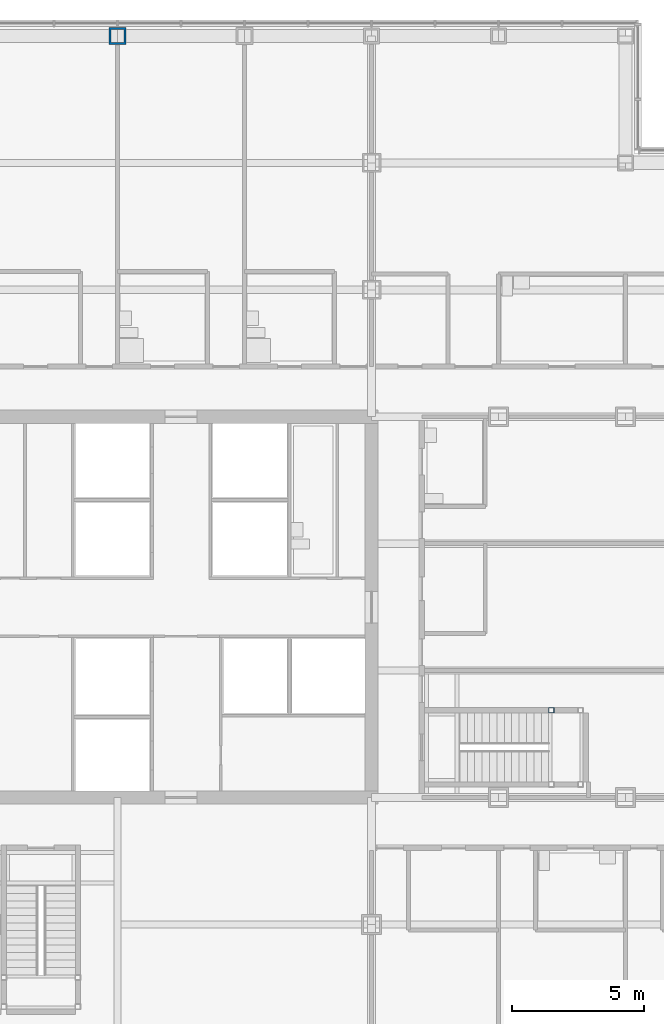
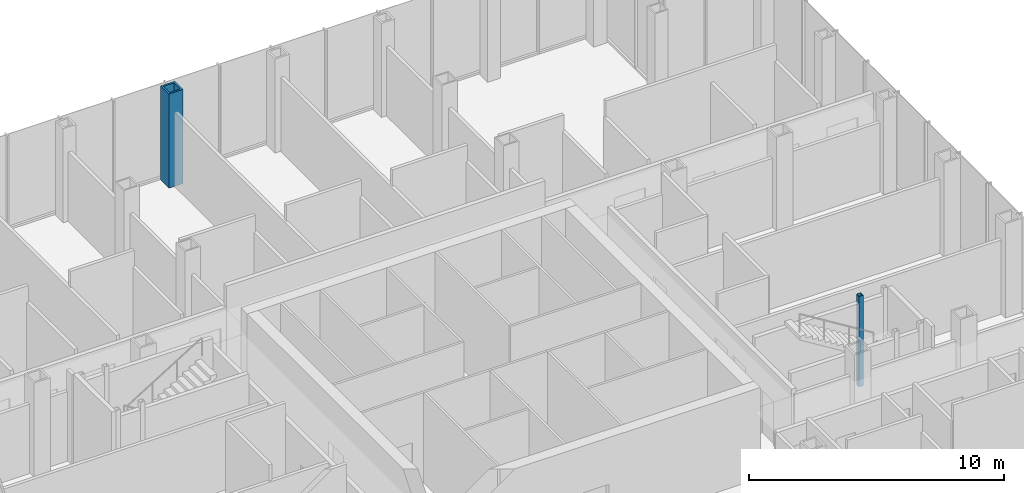
# One storey, part 8 of 25: 2 columns.
"""IFC4 building model written with IfcOpenShell, lengths in metres."""

from ifc_helpers import new_model, si_unit, direction, frame, origin, origin_2d, place, context, subcontext, project, spatial, hollow_rectangle, extrude, material, material_profile, profile_set, type_object, element, save


model = new_model("IFC4")

# Units and contexts
model_context = context("Model", 3, precision=1e-05, world=origin(), true_north=direction((0.0, 1.0)))
body_context = subcontext(model_context, "Body", "Model", "MODEL_VIEW")
ifc_project = project(units=[si_unit("LENGTHUNIT", "METRE"), si_unit("AREAUNIT", "SQUARE_METRE"), si_unit("VOLUMEUNIT", "CUBIC_METRE"), si_unit("PLANEANGLEUNIT", "RADIAN"), si_unit("MASSUNIT", "GRAM", prefix="KILO")], contexts=[model_context])

# Site, building, storey
site_placement = place(None, origin())
site = spatial("IfcSite", under=ifc_project, at=site_placement, CompositionType="ELEMENT")
building_placement = place(site_placement, origin())
building = spatial("IfcBuilding", under=site, at=building_placement, Name="Kvirike Care Tower", CompositionType="ELEMENT")
storey_placement = place(building_placement, frame((0.0, 0.0, 9.0)))
storey = spatial("IfcBuildingStorey", under=building, at=storey_placement, Name="L02", CompositionType="ELEMENT", Elevation=9.0)

# Columns
ifc_material_1 = material(Name="Steel S460", Category="steel")
ifc_material_profile_1 = material_profile(ifc_material_1, hollow_rectangle(XDim=0.64990234375, YDim=0.64990234375, WallThickness=0.080078125, at=origin_2d()), Name="BX 650x650x80")
ifc_profile_set_1 = profile_set([ifc_material_profile_1], Name="Steel S460")
column_type_1 = type_object("IfcColumnType", Name="COLUMN BX 650x650x80", PredefinedType="COLUMN", material=ifc_profile_set_1)
column_1_placement = place(storey_placement, frame((19.199951171875, 57.60009765625, 0.0), z_axis=(0.0, 0.0, 1.0), x_axis=(0.0, 1.0, 0.0)))
element("IfcColumn", 1, at=column_1_placement, inside=storey, type_object=column_type_1, Name="Column N7 L02", PredefinedType="COLUMN", context=body_context, shape_type="SweptSolid", body=[
    extrude(hollow_rectangle(XDim=0.64990234375, YDim=0.64990234375, WallThickness=0.080078125, at=origin_2d()), origin(), (0.0, 0.0, 1.0), 4.5),
])
ifc_material_2 = material(Name="Steel S460", Category="steel")
ifc_material_profile_2 = material_profile(ifc_material_2, hollow_rectangle(XDim=0.199951171875, YDim=0.199951171875, WallThickness=0.008056640625, at=origin_2d()), Name="SHS 200x200x8")
ifc_profile_set_2 = profile_set([ifc_material_profile_2], Name="Steel S460")
column_type_2 = type_object("IfcColumnType", Name="STAIR POST SHS 200x200x8", PredefinedType="COLUMN", material=ifc_profile_set_2)
column_2_placement = place(storey_placement, frame((35.60009765625, 32.10009765625, 0.0), z_axis=(0.0, 0.0, 1.0), x_axis=(1.0, 0.0, 0.0)))
element("IfcColumn", 2, at=column_2_placement, inside=storey, type_object=column_type_2, Name="Stair 2 post 4 L02", PredefinedType="COLUMN", context=body_context, shape_type="SweptSolid", body=[
    extrude(hollow_rectangle(XDim=0.199951171875, YDim=0.199951171875, WallThickness=0.008056640625, at=origin_2d()), origin(), (0.0, 0.0, 1.0), 4.330078125),
])

save(model, "model.ifc")
